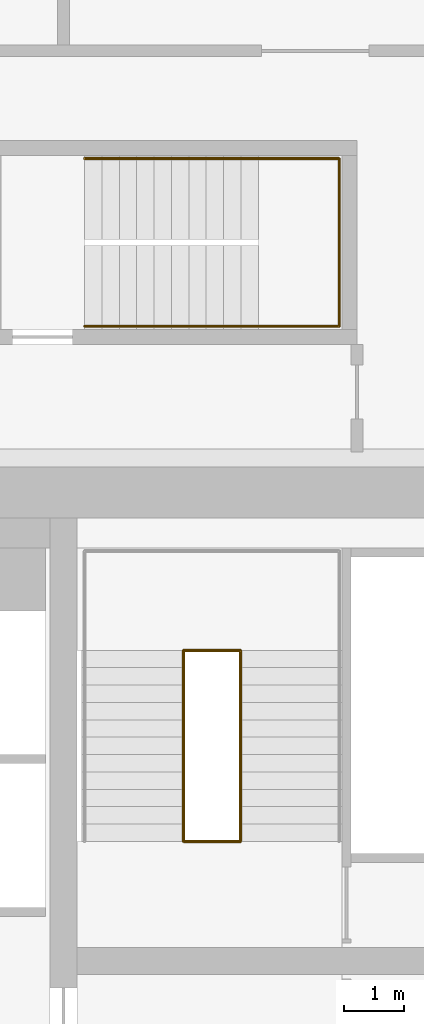
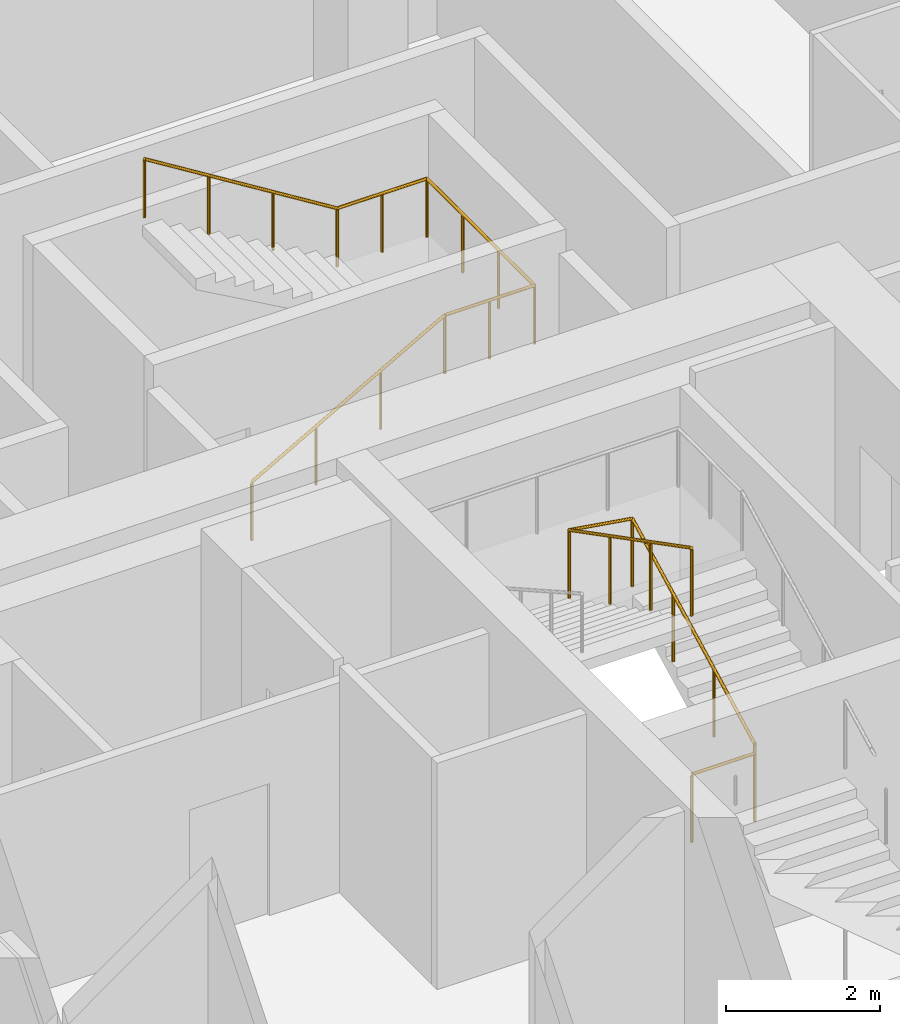
# One storey, part 23 of 23: 2 railings.
"""IFC4 building model written with IfcOpenShell, lengths in metres."""

from ifc_helpers import new_model, si_unit, direction, frame, origin, origin_2d, place, context, subcontext, project, spatial, circle, extrude, material, type_object, element, save


model = new_model("IFC4")

# Units and contexts
model_context = context("Model", 3, precision=1e-05, world=origin(), true_north=direction((0.0, 1.0)))
body_context = subcontext(model_context, "Body", "Model", "MODEL_VIEW")
ifc_project = project(units=[si_unit("LENGTHUNIT", "METRE"), si_unit("AREAUNIT", "SQUARE_METRE"), si_unit("VOLUMEUNIT", "CUBIC_METRE"), si_unit("PLANEANGLEUNIT", "RADIAN"), si_unit("MASSUNIT", "GRAM", prefix="KILO")], contexts=[model_context])

# Site, building, storey
site_placement = place(None, origin())
site = spatial("IfcSite", under=ifc_project, at=site_placement, CompositionType="ELEMENT")
building_placement = place(site_placement, origin())
building = spatial("IfcBuilding", under=site, at=building_placement, Name="Marenta Gate Hotel Tower", CompositionType="ELEMENT")
storey_placement = place(building_placement, frame((0.0, 0.0, 104.89990234375)))
storey = spatial("IfcBuildingStorey", under=building, at=storey_placement, Name="L22", CompositionType="ELEMENT", Elevation=104.89990234375)

# Railings
ifc_material_1 = material(Name="Stainless steel", Category="steel")
railing_type_1 = type_object("IfcRailingType", Name="Core stair handrail 950", PredefinedType="HANDRAIL", material=ifc_material_1)
railing_1_placement = place(storey_placement, frame((4.550048828125, 19.0, 0.163818359375)))
element("IfcRailing", 1, at=railing_1_placement, inside=storey, type_object=railing_type_1, Name="HR-950 L22-RS-Z2-4-KR-1", PredefinedType="HANDRAIL", context=body_context, shape_type="SweptSolid", body=[
    extrude(circle(Radius=0.02392578125, at=origin_2d()), frame((0.0, 0.0, 0.92578125), z_axis=(0.870928581787, 0.0, 0.491409610636), x_axis=(0.0, 1.0, 0.0)), (0.0, 0.0, 1.0), 3.32958984375),
    extrude(circle(Radius=0.02392578125, at=origin_2d()), frame((2.89990234375, 0.0, 2.56201171875), z_axis=(1.0, 0.0, 0.0), x_axis=(0.0, 1.0, 0.0)), (0.0, 0.0, 1.0), 1.35009765625),
    extrude(circle(Radius=0.02392578125, at=origin_2d()), frame((4.25, 0.0, 2.56201171875), z_axis=(0.0, 1.0, 0.0), x_axis=(-1.0, 0.0, 0.0)), (0.0, 0.0, 1.0), 2.800048828125),
    extrude(circle(Radius=0.02392578125, at=origin_2d()), frame((4.25, 2.800048828125, 2.56201171875), z_axis=(-1.0, 0.0, 0.0), x_axis=(0.0, -1.0, 0.0)), (0.0, 0.0, 1.0), 1.35009765625),
    extrude(circle(Radius=0.02392578125, at=origin_2d()), frame((2.89990234375, 2.800048828125, 2.56201171875), z_axis=(-0.849625798611, 0.0, 0.527386008853), x_axis=(0.0, -1.0, 0.0)), (0.0, 0.0, 1.0), 3.4130859375),
    extrude(circle(Radius=0.02099609375, at=origin_2d()), origin(), (0.0, 0.0, 1.0), 0.90185546875),
    extrude(circle(Radius=0.02099609375, at=origin_2d()), frame((0.966552734375, 0.0, 0.54541015625)), (0.0, 0.0, 1.0), 0.90185546875),
    extrude(circle(Radius=0.02099609375, at=origin_2d()), frame((1.933349609375, 0.0, 1.0908203125)), (0.0, 0.0, 1.0), 0.90185546875),
    extrude(circle(Radius=0.02099609375, at=origin_2d()), frame((2.89990234375, 0.0, 1.63623046875)), (0.0, 0.0, 1.0), 0.90185546875),
    extrude(circle(Radius=0.02099609375, at=origin_2d()), frame((3.574951171875, 0.0, 1.63623046875)), (0.0, 0.0, 1.0), 0.90185546875),
    extrude(circle(Radius=0.02099609375, at=origin_2d()), frame((4.25, 0.0, 1.63623046875)), (0.0, 0.0, 1.0), 0.90185546875),
    extrude(circle(Radius=0.02099609375, at=origin_2d()), frame((4.25, 0.933349609375, 1.63623046875)), (0.0, 0.0, 1.0), 0.90185546875),
    extrude(circle(Radius=0.02099609375, at=origin_2d()), frame((4.25, 1.86669921875, 1.63623046875)), (0.0, 0.0, 1.0), 0.90185546875),
    extrude(circle(Radius=0.02099609375, at=origin_2d()), frame((4.25, 2.800048828125, 1.63623046875)), (0.0, 0.0, 1.0), 0.90185546875),
    extrude(circle(Radius=0.02099609375, at=origin_2d()), frame((3.574951171875, 2.800048828125, 1.63623046875)), (0.0, 0.0, 1.0), 0.90185546875),
    extrude(circle(Radius=0.02099609375, at=origin_2d()), frame((2.89990234375, 2.800048828125, 1.63623046875)), (0.0, 0.0, 1.0), 0.90185546875),
    extrude(circle(Radius=0.02099609375, at=origin_2d()), frame((1.933349609375, 2.800048828125, 2.236328125)), (0.0, 0.0, 1.0), 0.90185546875),
    extrude(circle(Radius=0.02099609375, at=origin_2d()), frame((0.966552734375, 2.800048828125, 2.836181640625)), (0.0, 0.0, 1.0), 0.90185546875),
    extrude(circle(Radius=0.02099609375, at=origin_2d()), frame((0.0, 2.800048828125, 3.436279296875)), (0.0, 0.0, 1.0), 0.90185546875),
])
ifc_material_2 = material(Name="Stainless steel", Category="steel")
railing_type_2 = type_object("IfcRailingType", Name="Core stair well guard 1100", PredefinedType="GUARDRAIL", material=ifc_material_2)
railing_2_placement = place(storey_placement, frame((6.199951171875, 10.39990234375, 0.0)))
element("IfcRailing", 2, at=railing_2_placement, inside=storey, type_object=railing_type_2, Name="GR-1100 L22-KR-ST4-2", PredefinedType="GUARDRAIL", context=body_context, shape_type="SweptSolid", body=[
    extrude(circle(Radius=0.02392578125, at=origin_2d()), frame((0.0, 0.0, 1.076171875), z_axis=(1.0, 0.0, 0.0), x_axis=(0.0, 1.0, 0.0)), (0.0, 0.0, 1.0), 0.949951171875),
    extrude(circle(Radius=0.02392578125, at=origin_2d()), frame((0.949951171875, 0.0, 1.076171875), z_axis=(0.0, 0.0, 1.0), x_axis=(1.0, 0.0, 0.0)), (0.0, 0.0, 1.0), 0.150146484375),
    extrude(circle(Radius=0.02392578125, at=origin_2d()), frame((0.949951171875, 0.0, 1.22607421875), z_axis=(0.0, 0.888239641807, 0.459380385653), x_axis=(-1.0, 0.0, 0.0)), (0.0, 0.0, 1.0), 3.591552734375),
    extrude(circle(Radius=0.02392578125, at=origin_2d()), frame((0.949951171875, 3.190185546875, 2.8759765625), z_axis=(-0.987738253826, 0.0, 0.156118999255), x_axis=(0.0, -1.0, 0.0)), (0.0, 0.0, 1.0), 0.961669921875),
    extrude(circle(Radius=0.02392578125, at=origin_2d()), frame((0.0, 3.190185546875, 3.0263671875), z_axis=(0.0, -0.888239641807, 0.459380385653), x_axis=(1.0, 0.0, 0.0)), (0.0, 0.0, 1.0), 3.591552734375),
    extrude(circle(Radius=0.02099609375, at=origin_2d()), origin(), (0.0, 0.0, 1.0), 1.052001953125),
    extrude(circle(Radius=0.02099609375, at=origin_2d()), frame((0.949951171875, 0.0, 0.0)), (0.0, 0.0, 1.0), 1.052001953125),
    extrude(circle(Radius=0.02099609375, at=origin_2d()), frame((0.949951171875, 0.0, 0.150146484375)), (0.0, 0.0, 1.0), 1.052001953125),
    extrude(circle(Radius=0.02099609375, at=origin_2d()), frame((0.949951171875, 1.0634765625, 0.7001953125)), (0.0, 0.0, 1.0), 1.052001953125),
    extrude(circle(Radius=0.02099609375, at=origin_2d()), frame((0.949951171875, 2.126708984375, 1.25)), (0.0, 0.0, 1.0), 1.052001953125),
    extrude(circle(Radius=0.02099609375, at=origin_2d()), frame((0.949951171875, 3.190185546875, 1.800048828125)), (0.0, 0.0, 1.0), 1.052001953125),
    extrude(circle(Radius=0.02099609375, at=origin_2d()), frame((0.0, 3.190185546875, 1.9501953125)), (0.0, 0.0, 1.0), 1.052001953125),
    extrude(circle(Radius=0.02099609375, at=origin_2d()), frame((0.0, 2.126708984375, 2.500244140625)), (0.0, 0.0, 1.0), 1.052001953125),
    extrude(circle(Radius=0.02099609375, at=origin_2d()), frame((0.0, 1.0634765625, 3.050048828125)), (0.0, 0.0, 1.0), 1.052001953125),
    extrude(circle(Radius=0.02099609375, at=origin_2d()), frame((0.0, 0.0, 3.60009765625)), (0.0, 0.0, 1.0), 1.052001953125),
])

save(model, "model.ifc")
